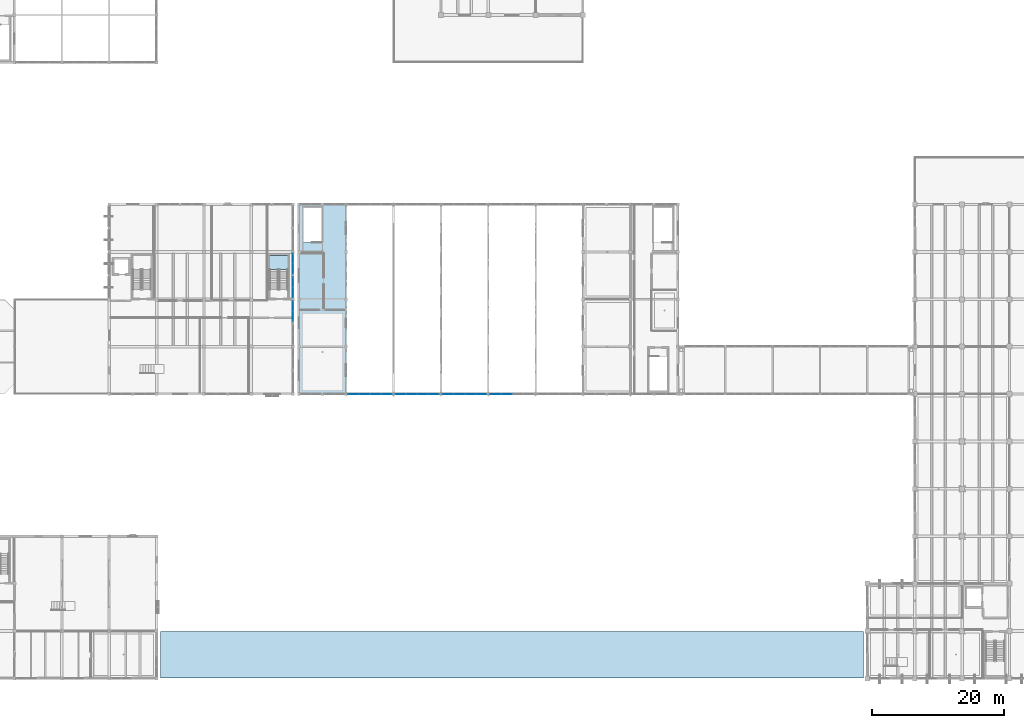
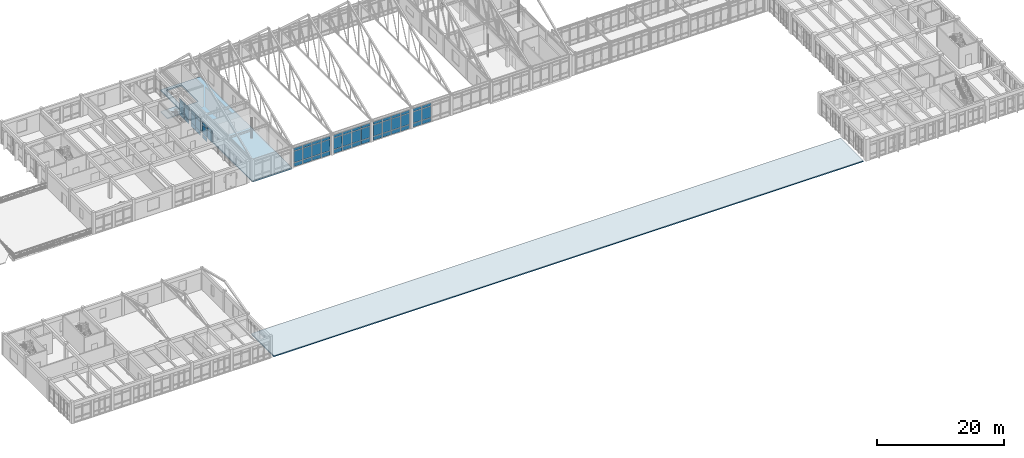
# One storey, part 78 of 136: 59 plates, 3 slabs, 8 elements without a shape of their own.
"""IFC4 building model written with IfcOpenShell, lengths in metres."""

from ifc_helpers import new_model, si_unit, direction, frame, origin, origin_2d, place, context, subcontext, project, spatial, polyline, rectangle, outline, extrude, material, layer, layer_set, type_object, element, aggregate, save


model = new_model("IFC4")

# Units and contexts
model_context = context("Model", 3, precision=1e-05, world=origin(), true_north=direction((0.0, 1.0)))
body_context = subcontext(model_context, "Body", "Model", "MODEL_VIEW")
ifc_project = project(units=[si_unit("LENGTHUNIT", "METRE"), si_unit("AREAUNIT", "SQUARE_METRE"), si_unit("VOLUMEUNIT", "CUBIC_METRE"), si_unit("PLANEANGLEUNIT", "RADIAN"), si_unit("MASSUNIT", "GRAM", prefix="KILO")], contexts=[model_context])

# Site, building, storey
site_placement = place(None, origin())
site = spatial("IfcSite", under=ifc_project, at=site_placement, CompositionType="ELEMENT")
building_placement = place(site_placement, origin())
building = spatial("IfcBuilding", under=site, at=building_placement, Name="Koriwan Promenade Central Fire Station", CompositionType="ELEMENT")
storey_placement = place(building_placement, frame((0.0, 0.0, 5.39990234375)))
storey = spatial("IfcBuildingStorey", under=building, at=storey_placement, Name="L01", CompositionType="ELEMENT", Elevation=5.39990234375)

# Curtain wall, plates
ifc_material_1 = material(Name="Aluminium EN AW-6063-T6 and low-E glazing", Category="aluminium")
ifc_layer_1 = layer(ifc_material_1, 0.159912109375, Name="Aluminium EN AW-6063-T6 and low-E glazing")
ifc_layer_set_1 = layer_set([ifc_layer_1], Name="Aluminium EN AW-6063-T6 and low-E glazing")
curtain_wall_type_1 = type_object("IfcCurtainWallType", Name="CurtainWall_93_675x372", PredefinedType="USERDEFINED", material=ifc_layer_set_1)
curtain_wall_1_placement = place(storey_placement, origin())
curtain_wall_1 = element("IfcCurtainWall", 1, at=curtain_wall_1_placement, inside=storey, type_object=curtain_wall_type_1, Name="V1 L01 unitised curtain wall 289", ObjectType="UNITISED CURTAIN WALL", PredefinedType="USERDEFINED")
ifc_material_2 = material(Name="Low-E laminated double glazing", Category="glass")
ifc_layer_2 = layer(ifc_material_2, 0.028076171875, Name="Low-E laminated double glazing")
ifc_layer_set_2 = layer_set([ifc_layer_2], Name="Low-E laminated double glazing")
plate_type_1 = type_object("IfcPlateType", Name="CWPanel_28", PredefinedType="CURTAIN_PANEL", material=ifc_layer_set_2)
plate_1_placement = place(storey_placement, frame((65.888671875, 43.199951171875, 0.080078125), z_axis=(0.0, 0.0, 1.0), x_axis=(1.0, 0.0, 0.0)))
plate_1 = element("IfcPlate", 2, at=plate_1_placement, type_object=plate_type_1, Name="CW-93 panel 1.1", PredefinedType="CURTAIN_PANEL", context=body_context, shape_type="SweptSolid", body=[
    extrude(rectangle(XDim=1.5673828125, YDim=0.028076171875, at=origin_2d()), origin(), (0.0, 0.0, 1.0), 0.72998046875),
])
plate_2_placement = place(storey_placement, frame((65.888671875, 43.199951171875, 0.89013671875), z_axis=(0.0, 0.0, 1.0), x_axis=(1.0, 0.0, 0.0)))
plate_2 = element("IfcPlate", 3, at=plate_2_placement, type_object=plate_type_1, Name="CW-93 panel 1.2", PredefinedType="CURTAIN_PANEL", context=body_context, shape_type="SweptSolid", body=[
    extrude(rectangle(XDim=1.5673828125, YDim=0.028076171875, at=origin_2d()), origin(), (0.0, 0.0, 1.0), 2.14111328125),
])
plate_3_placement = place(storey_placement, frame((65.888671875, 43.199951171875, 3.11083984375), z_axis=(0.0, 0.0, 1.0), x_axis=(1.0, 0.0, 0.0)))
plate_3 = element("IfcPlate", 4, at=plate_3_placement, type_object=plate_type_1, Name="CW-93 panel 1.3", PredefinedType="CURTAIN_PANEL", context=body_context, shape_type="SweptSolid", body=[
    extrude(rectangle(XDim=1.5673828125, YDim=0.028076171875, at=origin_2d()), origin(), (0.0, 0.0, 1.0), 0.530029296875),
])
plate_4_placement = place(storey_placement, frame((67.55615234375, 43.199951171875, 0.080078125), z_axis=(0.0, 0.0, 1.0), x_axis=(1.0, 0.0, 0.0)))
plate_4 = element("IfcPlate", 5, at=plate_4_placement, type_object=plate_type_1, Name="CW-93 panel 2.1", PredefinedType="CURTAIN_PANEL", context=body_context, shape_type="SweptSolid", body=[
    extrude(rectangle(XDim=1.607421875, YDim=0.028076171875, at=origin_2d()), origin(), (0.0, 0.0, 1.0), 0.72998046875),
])
plate_5_placement = place(storey_placement, frame((67.55615234375, 43.199951171875, 0.89013671875), z_axis=(0.0, 0.0, 1.0), x_axis=(1.0, 0.0, 0.0)))
plate_5 = element("IfcPlate", 6, at=plate_5_placement, type_object=plate_type_1, Name="CW-93 panel 2.2", PredefinedType="CURTAIN_PANEL", context=body_context, shape_type="SweptSolid", body=[
    extrude(rectangle(XDim=1.607421875, YDim=0.028076171875, at=origin_2d()), origin(), (0.0, 0.0, 1.0), 2.14111328125),
])
plate_6_placement = place(storey_placement, frame((67.55615234375, 43.199951171875, 3.11083984375), z_axis=(0.0, 0.0, 1.0), x_axis=(1.0, 0.0, 0.0)))
plate_6 = element("IfcPlate", 7, at=plate_6_placement, type_object=plate_type_1, Name="CW-93 panel 2.3", PredefinedType="CURTAIN_PANEL", context=body_context, shape_type="SweptSolid", body=[
    extrude(rectangle(XDim=1.607421875, YDim=0.028076171875, at=origin_2d()), origin(), (0.0, 0.0, 1.0), 0.530029296875),
])
plate_7_placement = place(storey_placement, frame((69.24365234375, 43.199951171875, 0.080078125), z_axis=(0.0, 0.0, 1.0), x_axis=(1.0, 0.0, 0.0)))
plate_7 = element("IfcPlate", 8, at=plate_7_placement, type_object=plate_type_1, Name="CW-93 panel 3.1", PredefinedType="CURTAIN_PANEL", context=body_context, shape_type="SweptSolid", body=[
    extrude(rectangle(XDim=1.607421875, YDim=0.028076171875, at=origin_2d()), origin(), (0.0, 0.0, 1.0), 0.72998046875),
])
plate_8_placement = place(storey_placement, frame((69.24365234375, 43.199951171875, 0.89013671875), z_axis=(0.0, 0.0, 1.0), x_axis=(1.0, 0.0, 0.0)))
plate_8 = element("IfcPlate", 9, at=plate_8_placement, type_object=plate_type_1, Name="CW-93 panel 3.2", PredefinedType="CURTAIN_PANEL", context=body_context, shape_type="SweptSolid", body=[
    extrude(rectangle(XDim=1.607421875, YDim=0.028076171875, at=origin_2d()), origin(), (0.0, 0.0, 1.0), 2.14111328125),
])
plate_9_placement = place(storey_placement, frame((69.24365234375, 43.199951171875, 3.11083984375), z_axis=(0.0, 0.0, 1.0), x_axis=(1.0, 0.0, 0.0)))
plate_9 = element("IfcPlate", 10, at=plate_9_placement, type_object=plate_type_1, Name="CW-93 panel 3.3", PredefinedType="CURTAIN_PANEL", context=body_context, shape_type="SweptSolid", body=[
    extrude(rectangle(XDim=1.607421875, YDim=0.028076171875, at=origin_2d()), origin(), (0.0, 0.0, 1.0), 0.530029296875),
])
plate_10_placement = place(storey_placement, frame((70.9111328125, 43.199951171875, 0.080078125), z_axis=(0.0, 0.0, 1.0), x_axis=(1.0, 0.0, 0.0)))
plate_10 = element("IfcPlate", 11, at=plate_10_placement, type_object=plate_type_1, Name="CW-93 panel 4.1", PredefinedType="CURTAIN_PANEL", context=body_context, shape_type="SweptSolid", body=[
    extrude(rectangle(XDim=1.5673828125, YDim=0.028076171875, at=origin_2d()), origin(), (0.0, 0.0, 1.0), 0.72998046875),
])
plate_11_placement = place(storey_placement, frame((70.9111328125, 43.199951171875, 0.89013671875), z_axis=(0.0, 0.0, 1.0), x_axis=(1.0, 0.0, 0.0)))
plate_11 = element("IfcPlate", 12, at=plate_11_placement, type_object=plate_type_1, Name="CW-93 panel 4.2", PredefinedType="CURTAIN_PANEL", context=body_context, shape_type="SweptSolid", body=[
    extrude(rectangle(XDim=1.5673828125, YDim=0.028076171875, at=origin_2d()), origin(), (0.0, 0.0, 1.0), 2.14111328125),
])
plate_12_placement = place(storey_placement, frame((70.9111328125, 43.199951171875, 3.11083984375), z_axis=(0.0, 0.0, 1.0), x_axis=(1.0, 0.0, 0.0)))
plate_12 = element("IfcPlate", 13, at=plate_12_placement, type_object=plate_type_1, Name="CW-93 panel 4.3", PredefinedType="CURTAIN_PANEL", context=body_context, shape_type="SweptSolid", body=[
    extrude(rectangle(XDim=1.5673828125, YDim=0.028076171875, at=origin_2d()), origin(), (0.0, 0.0, 1.0), 0.530029296875),
])
aggregate(curtain_wall_1, [plate_1, plate_2, plate_3, plate_4, plate_5, plate_6, plate_7, plate_8, plate_9, plate_10, plate_11, plate_12])

curtain_wall_2_placement = place(storey_placement, origin())
curtain_wall_2 = element("IfcCurtainWall", 14, at=curtain_wall_2_placement, inside=storey, type_object=curtain_wall_type_1, Name="V1 L01 unitised curtain wall 291", ObjectType="UNITISED CURTAIN WALL", PredefinedType="USERDEFINED")
plate_13_placement = place(storey_placement, frame((73.0888671875, 43.199951171875, 0.080078125), z_axis=(0.0, 0.0, 1.0), x_axis=(1.0, 0.0, 0.0)))
plate_13 = element("IfcPlate", 15, at=plate_13_placement, type_object=plate_type_1, Name="CW-93 panel 1.1", PredefinedType="CURTAIN_PANEL", context=body_context, shape_type="SweptSolid", body=[
    extrude(rectangle(XDim=1.5673828125, YDim=0.028076171875, at=origin_2d()), origin(), (0.0, 0.0, 1.0), 0.72998046875),
])
plate_14_placement = place(storey_placement, frame((73.0888671875, 43.199951171875, 0.89013671875), z_axis=(0.0, 0.0, 1.0), x_axis=(1.0, 0.0, 0.0)))
plate_14 = element("IfcPlate", 16, at=plate_14_placement, type_object=plate_type_1, Name="CW-93 panel 1.2", PredefinedType="CURTAIN_PANEL", context=body_context, shape_type="SweptSolid", body=[
    extrude(rectangle(XDim=1.5673828125, YDim=0.028076171875, at=origin_2d()), origin(), (0.0, 0.0, 1.0), 2.14111328125),
])
plate_15_placement = place(storey_placement, frame((73.0888671875, 43.199951171875, 3.11083984375), z_axis=(0.0, 0.0, 1.0), x_axis=(1.0, 0.0, 0.0)))
plate_15 = element("IfcPlate", 17, at=plate_15_placement, type_object=plate_type_1, Name="CW-93 panel 1.3", PredefinedType="CURTAIN_PANEL", context=body_context, shape_type="SweptSolid", body=[
    extrude(rectangle(XDim=1.5673828125, YDim=0.028076171875, at=origin_2d()), origin(), (0.0, 0.0, 1.0), 0.530029296875),
])
plate_16_placement = place(storey_placement, frame((74.75634765625, 43.199951171875, 0.080078125), z_axis=(0.0, 0.0, 1.0), x_axis=(1.0, 0.0, 0.0)))
plate_16 = element("IfcPlate", 18, at=plate_16_placement, type_object=plate_type_1, Name="CW-93 panel 2.1", PredefinedType="CURTAIN_PANEL", context=body_context, shape_type="SweptSolid", body=[
    extrude(rectangle(XDim=1.607421875, YDim=0.028076171875, at=origin_2d()), origin(), (0.0, 0.0, 1.0), 0.72998046875),
])
plate_17_placement = place(storey_placement, frame((74.75634765625, 43.199951171875, 0.89013671875), z_axis=(0.0, 0.0, 1.0), x_axis=(1.0, 0.0, 0.0)))
plate_17 = element("IfcPlate", 19, at=plate_17_placement, type_object=plate_type_1, Name="CW-93 panel 2.2", PredefinedType="CURTAIN_PANEL", context=body_context, shape_type="SweptSolid", body=[
    extrude(rectangle(XDim=1.607421875, YDim=0.028076171875, at=origin_2d()), origin(), (0.0, 0.0, 1.0), 2.14111328125),
])
plate_18_placement = place(storey_placement, frame((74.75634765625, 43.199951171875, 3.11083984375), z_axis=(0.0, 0.0, 1.0), x_axis=(1.0, 0.0, 0.0)))
plate_18 = element("IfcPlate", 20, at=plate_18_placement, type_object=plate_type_1, Name="CW-93 panel 2.3", PredefinedType="CURTAIN_PANEL", context=body_context, shape_type="SweptSolid", body=[
    extrude(rectangle(XDim=1.607421875, YDim=0.028076171875, at=origin_2d()), origin(), (0.0, 0.0, 1.0), 0.530029296875),
])
plate_19_placement = place(storey_placement, frame((76.44384765625, 43.199951171875, 0.080078125), z_axis=(0.0, 0.0, 1.0), x_axis=(1.0, 0.0, 0.0)))
plate_19 = element("IfcPlate", 21, at=plate_19_placement, type_object=plate_type_1, Name="CW-93 panel 3.1", PredefinedType="CURTAIN_PANEL", context=body_context, shape_type="SweptSolid", body=[
    extrude(rectangle(XDim=1.607421875, YDim=0.028076171875, at=origin_2d()), origin(), (0.0, 0.0, 1.0), 0.72998046875),
])
plate_20_placement = place(storey_placement, frame((76.44384765625, 43.199951171875, 0.89013671875), z_axis=(0.0, 0.0, 1.0), x_axis=(1.0, 0.0, 0.0)))
plate_20 = element("IfcPlate", 22, at=plate_20_placement, type_object=plate_type_1, Name="CW-93 panel 3.2", PredefinedType="CURTAIN_PANEL", context=body_context, shape_type="SweptSolid", body=[
    extrude(rectangle(XDim=1.607421875, YDim=0.028076171875, at=origin_2d()), origin(), (0.0, 0.0, 1.0), 2.14111328125),
])
plate_21_placement = place(storey_placement, frame((76.44384765625, 43.199951171875, 3.11083984375), z_axis=(0.0, 0.0, 1.0), x_axis=(1.0, 0.0, 0.0)))
plate_21 = element("IfcPlate", 23, at=plate_21_placement, type_object=plate_type_1, Name="CW-93 panel 3.3", PredefinedType="CURTAIN_PANEL", context=body_context, shape_type="SweptSolid", body=[
    extrude(rectangle(XDim=1.607421875, YDim=0.028076171875, at=origin_2d()), origin(), (0.0, 0.0, 1.0), 0.530029296875),
])
plate_22_placement = place(storey_placement, frame((78.111328125, 43.199951171875, 0.080078125), z_axis=(0.0, 0.0, 1.0), x_axis=(1.0, 0.0, 0.0)))
plate_22 = element("IfcPlate", 24, at=plate_22_placement, type_object=plate_type_1, Name="CW-93 panel 4.1", PredefinedType="CURTAIN_PANEL", context=body_context, shape_type="SweptSolid", body=[
    extrude(rectangle(XDim=1.5673828125, YDim=0.028076171875, at=origin_2d()), origin(), (0.0, 0.0, 1.0), 0.72998046875),
])
plate_23_placement = place(storey_placement, frame((78.111328125, 43.199951171875, 0.89013671875), z_axis=(0.0, 0.0, 1.0), x_axis=(1.0, 0.0, 0.0)))
plate_23 = element("IfcPlate", 25, at=plate_23_placement, type_object=plate_type_1, Name="CW-93 panel 4.2", PredefinedType="CURTAIN_PANEL", context=body_context, shape_type="SweptSolid", body=[
    extrude(rectangle(XDim=1.5673828125, YDim=0.028076171875, at=origin_2d()), origin(), (0.0, 0.0, 1.0), 2.14111328125),
])
plate_24_placement = place(storey_placement, frame((78.111328125, 43.199951171875, 3.11083984375), z_axis=(0.0, 0.0, 1.0), x_axis=(1.0, 0.0, 0.0)))
plate_24 = element("IfcPlate", 26, at=plate_24_placement, type_object=plate_type_1, Name="CW-93 panel 4.3", PredefinedType="CURTAIN_PANEL", context=body_context, shape_type="SweptSolid", body=[
    extrude(rectangle(XDim=1.5673828125, YDim=0.028076171875, at=origin_2d()), origin(), (0.0, 0.0, 1.0), 0.530029296875),
])
aggregate(curtain_wall_2, [plate_13, plate_14, plate_15, plate_16, plate_17, plate_18, plate_19, plate_20, plate_21, plate_22, plate_23, plate_24])

curtain_wall_3_placement = place(storey_placement, origin())
curtain_wall_3 = element("IfcCurtainWall", 27, at=curtain_wall_3_placement, inside=storey, type_object=curtain_wall_type_1, Name="V1 L01 unitised curtain wall 293", ObjectType="UNITISED CURTAIN WALL", PredefinedType="USERDEFINED")
plate_25_placement = place(storey_placement, frame((80.288818359375, 43.199951171875, 0.080078125), z_axis=(0.0, 0.0, 1.0), x_axis=(1.0, 0.0, 0.0)))
plate_25 = element("IfcPlate", 28, at=plate_25_placement, type_object=plate_type_1, Name="CW-93 panel 1.1", PredefinedType="CURTAIN_PANEL", context=body_context, shape_type="SweptSolid", body=[
    extrude(rectangle(XDim=1.5673828125, YDim=0.028076171875, at=origin_2d()), origin(), (0.0, 0.0, 1.0), 0.72998046875),
])
plate_26_placement = place(storey_placement, frame((80.288818359375, 43.199951171875, 0.89013671875), z_axis=(0.0, 0.0, 1.0), x_axis=(1.0, 0.0, 0.0)))
plate_26 = element("IfcPlate", 29, at=plate_26_placement, type_object=plate_type_1, Name="CW-93 panel 1.2", PredefinedType="CURTAIN_PANEL", context=body_context, shape_type="SweptSolid", body=[
    extrude(rectangle(XDim=1.5673828125, YDim=0.028076171875, at=origin_2d()), origin(), (0.0, 0.0, 1.0), 2.14111328125),
])
plate_27_placement = place(storey_placement, frame((80.288818359375, 43.199951171875, 3.11083984375), z_axis=(0.0, 0.0, 1.0), x_axis=(1.0, 0.0, 0.0)))
plate_27 = element("IfcPlate", 30, at=plate_27_placement, type_object=plate_type_1, Name="CW-93 panel 1.3", PredefinedType="CURTAIN_PANEL", context=body_context, shape_type="SweptSolid", body=[
    extrude(rectangle(XDim=1.5673828125, YDim=0.028076171875, at=origin_2d()), origin(), (0.0, 0.0, 1.0), 0.530029296875),
])
plate_28_placement = place(storey_placement, frame((81.956298828125, 43.199951171875, 0.080078125), z_axis=(0.0, 0.0, 1.0), x_axis=(1.0, 0.0, 0.0)))
plate_28 = element("IfcPlate", 31, at=plate_28_placement, type_object=plate_type_1, Name="CW-93 panel 2.1", PredefinedType="CURTAIN_PANEL", context=body_context, shape_type="SweptSolid", body=[
    extrude(rectangle(XDim=1.607421875, YDim=0.028076171875, at=origin_2d()), origin(), (0.0, 0.0, 1.0), 0.72998046875),
])
plate_29_placement = place(storey_placement, frame((81.956298828125, 43.199951171875, 0.89013671875), z_axis=(0.0, 0.0, 1.0), x_axis=(1.0, 0.0, 0.0)))
plate_29 = element("IfcPlate", 32, at=plate_29_placement, type_object=plate_type_1, Name="CW-93 panel 2.2", PredefinedType="CURTAIN_PANEL", context=body_context, shape_type="SweptSolid", body=[
    extrude(rectangle(XDim=1.607421875, YDim=0.028076171875, at=origin_2d()), origin(), (0.0, 0.0, 1.0), 2.14111328125),
])
plate_30_placement = place(storey_placement, frame((81.956298828125, 43.199951171875, 3.11083984375), z_axis=(0.0, 0.0, 1.0), x_axis=(1.0, 0.0, 0.0)))
plate_30 = element("IfcPlate", 33, at=plate_30_placement, type_object=plate_type_1, Name="CW-93 panel 2.3", PredefinedType="CURTAIN_PANEL", context=body_context, shape_type="SweptSolid", body=[
    extrude(rectangle(XDim=1.607421875, YDim=0.028076171875, at=origin_2d()), origin(), (0.0, 0.0, 1.0), 0.530029296875),
])
plate_31_placement = place(storey_placement, frame((83.643798828125, 43.199951171875, 0.080078125), z_axis=(0.0, 0.0, 1.0), x_axis=(1.0, 0.0, 0.0)))
plate_31 = element("IfcPlate", 34, at=plate_31_placement, type_object=plate_type_1, Name="CW-93 panel 3.1", PredefinedType="CURTAIN_PANEL", context=body_context, shape_type="SweptSolid", body=[
    extrude(rectangle(XDim=1.607421875, YDim=0.028076171875, at=origin_2d()), origin(), (0.0, 0.0, 1.0), 0.72998046875),
])
plate_32_placement = place(storey_placement, frame((83.643798828125, 43.199951171875, 0.89013671875), z_axis=(0.0, 0.0, 1.0), x_axis=(1.0, 0.0, 0.0)))
plate_32 = element("IfcPlate", 35, at=plate_32_placement, type_object=plate_type_1, Name="CW-93 panel 3.2", PredefinedType="CURTAIN_PANEL", context=body_context, shape_type="SweptSolid", body=[
    extrude(rectangle(XDim=1.607421875, YDim=0.028076171875, at=origin_2d()), origin(), (0.0, 0.0, 1.0), 2.14111328125),
])
plate_33_placement = place(storey_placement, frame((83.643798828125, 43.199951171875, 3.11083984375), z_axis=(0.0, 0.0, 1.0), x_axis=(1.0, 0.0, 0.0)))
plate_33 = element("IfcPlate", 36, at=plate_33_placement, type_object=plate_type_1, Name="CW-93 panel 3.3", PredefinedType="CURTAIN_PANEL", context=body_context, shape_type="SweptSolid", body=[
    extrude(rectangle(XDim=1.607421875, YDim=0.028076171875, at=origin_2d()), origin(), (0.0, 0.0, 1.0), 0.530029296875),
])
plate_34_placement = place(storey_placement, frame((85.311279296875, 43.199951171875, 0.080078125), z_axis=(0.0, 0.0, 1.0), x_axis=(1.0, 0.0, 0.0)))
plate_34 = element("IfcPlate", 37, at=plate_34_placement, type_object=plate_type_1, Name="CW-93 panel 4.1", PredefinedType="CURTAIN_PANEL", context=body_context, shape_type="SweptSolid", body=[
    extrude(rectangle(XDim=1.5673828125, YDim=0.028076171875, at=origin_2d()), origin(), (0.0, 0.0, 1.0), 0.72998046875),
])
plate_35_placement = place(storey_placement, frame((85.311279296875, 43.199951171875, 0.89013671875), z_axis=(0.0, 0.0, 1.0), x_axis=(1.0, 0.0, 0.0)))
plate_35 = element("IfcPlate", 38, at=plate_35_placement, type_object=plate_type_1, Name="CW-93 panel 4.2", PredefinedType="CURTAIN_PANEL", context=body_context, shape_type="SweptSolid", body=[
    extrude(rectangle(XDim=1.5673828125, YDim=0.028076171875, at=origin_2d()), origin(), (0.0, 0.0, 1.0), 2.14111328125),
])
plate_36_placement = place(storey_placement, frame((85.311279296875, 43.199951171875, 3.11083984375), z_axis=(0.0, 0.0, 1.0), x_axis=(1.0, 0.0, 0.0)))
plate_36 = element("IfcPlate", 39, at=plate_36_placement, type_object=plate_type_1, Name="CW-93 panel 4.3", PredefinedType="CURTAIN_PANEL", context=body_context, shape_type="SweptSolid", body=[
    extrude(rectangle(XDim=1.5673828125, YDim=0.028076171875, at=origin_2d()), origin(), (0.0, 0.0, 1.0), 0.530029296875),
])
aggregate(curtain_wall_3, [plate_25, plate_26, plate_27, plate_28, plate_29, plate_30, plate_31, plate_32, plate_33, plate_34, plate_35, plate_36])

curtain_wall_4_placement = place(storey_placement, origin())
curtain_wall_4 = element("IfcCurtainWall", 40, at=curtain_wall_4_placement, inside=storey, type_object=curtain_wall_type_1, Name="V1 L01 unitised curtain wall 295", ObjectType="UNITISED CURTAIN WALL", PredefinedType="USERDEFINED")
plate_37_placement = place(storey_placement, frame((87.48876953125, 43.199951171875, 0.080078125), z_axis=(0.0, 0.0, 1.0), x_axis=(1.0, 0.0, 0.0)))
plate_37 = element("IfcPlate", 41, at=plate_37_placement, type_object=plate_type_1, Name="CW-93 panel 1.1", PredefinedType="CURTAIN_PANEL", context=body_context, shape_type="SweptSolid", body=[
    extrude(rectangle(XDim=1.5673828125, YDim=0.028076171875, at=origin_2d()), origin(), (0.0, 0.0, 1.0), 0.72998046875),
])
plate_38_placement = place(storey_placement, frame((87.48876953125, 43.199951171875, 0.89013671875), z_axis=(0.0, 0.0, 1.0), x_axis=(1.0, 0.0, 0.0)))
plate_38 = element("IfcPlate", 42, at=plate_38_placement, type_object=plate_type_1, Name="CW-93 panel 1.2", PredefinedType="CURTAIN_PANEL", context=body_context, shape_type="SweptSolid", body=[
    extrude(rectangle(XDim=1.5673828125, YDim=0.028076171875, at=origin_2d()), origin(), (0.0, 0.0, 1.0), 2.14111328125),
])
plate_39_placement = place(storey_placement, frame((87.48876953125, 43.199951171875, 3.11083984375), z_axis=(0.0, 0.0, 1.0), x_axis=(1.0, 0.0, 0.0)))
plate_39 = element("IfcPlate", 43, at=plate_39_placement, type_object=plate_type_1, Name="CW-93 panel 1.3", PredefinedType="CURTAIN_PANEL", context=body_context, shape_type="SweptSolid", body=[
    extrude(rectangle(XDim=1.5673828125, YDim=0.028076171875, at=origin_2d()), origin(), (0.0, 0.0, 1.0), 0.530029296875),
])
plate_40_placement = place(storey_placement, frame((89.15625, 43.199951171875, 0.080078125), z_axis=(0.0, 0.0, 1.0), x_axis=(1.0, 0.0, 0.0)))
plate_40 = element("IfcPlate", 44, at=plate_40_placement, type_object=plate_type_1, Name="CW-93 panel 2.1", PredefinedType="CURTAIN_PANEL", context=body_context, shape_type="SweptSolid", body=[
    extrude(rectangle(XDim=1.607421875, YDim=0.028076171875, at=origin_2d()), origin(), (0.0, 0.0, 1.0), 0.72998046875),
])
plate_41_placement = place(storey_placement, frame((89.15625, 43.199951171875, 0.89013671875), z_axis=(0.0, 0.0, 1.0), x_axis=(1.0, 0.0, 0.0)))
plate_41 = element("IfcPlate", 45, at=plate_41_placement, type_object=plate_type_1, Name="CW-93 panel 2.2", PredefinedType="CURTAIN_PANEL", context=body_context, shape_type="SweptSolid", body=[
    extrude(rectangle(XDim=1.607421875, YDim=0.028076171875, at=origin_2d()), origin(), (0.0, 0.0, 1.0), 2.14111328125),
])
plate_42_placement = place(storey_placement, frame((89.15625, 43.199951171875, 3.11083984375), z_axis=(0.0, 0.0, 1.0), x_axis=(1.0, 0.0, 0.0)))
plate_42 = element("IfcPlate", 46, at=plate_42_placement, type_object=plate_type_1, Name="CW-93 panel 2.3", PredefinedType="CURTAIN_PANEL", context=body_context, shape_type="SweptSolid", body=[
    extrude(rectangle(XDim=1.607421875, YDim=0.028076171875, at=origin_2d()), origin(), (0.0, 0.0, 1.0), 0.530029296875),
])
aggregate(curtain_wall_4, [plate_37, plate_38, plate_39, plate_40, plate_41, plate_42])

ifc_layer_3 = layer(ifc_material_1, 0.159912109375, Name="Aluminium EN AW-6063-T6 and low-E glazing")
ifc_layer_set_3 = layer_set([ifc_layer_3], Name="Aluminium EN AW-6063-T6 and low-E glazing")
curtain_wall_type_2 = type_object("IfcCurtainWallType", Name="CurtainWall_46_317x329", PredefinedType="USERDEFINED", material=ifc_layer_set_3)
curtain_wall_5_placement = place(storey_placement, origin())
curtain_wall_5 = element("IfcCurtainWall", 47, at=curtain_wall_5_placement, inside=storey, type_object=curtain_wall_type_2, Name="V4 L01 unitised curtain wall 112", ObjectType="UNITISED CURTAIN WALL", PredefinedType="USERDEFINED")
ifc_material_3 = material(Name="Solar-control low-E acoustic glazing", Category="glass")
ifc_layer_4 = layer(ifc_material_3, 0.031982421875, Name="Solar-control low-E acoustic glazing")
ifc_layer_set_4 = layer_set([ifc_layer_4], Name="Solar-control low-E acoustic glazing")
plate_type_2 = type_object("IfcPlateType", Name="CWPanel_32", PredefinedType="CURTAIN_PANEL", material=ifc_layer_set_4)
plate_43_placement = place(storey_placement, frame((56.699951171875, 55.012451171875, 0.8876953125), z_axis=(0.0, 0.0, 1.0), x_axis=(0.0, 1.0, 0.0)))
plate_43 = element("IfcPlate", 48, at=plate_43_placement, type_object=plate_type_2, Name="CW-46 panel 1.2", PredefinedType="CURTAIN_PANEL", context=body_context, shape_type="SweptSolid", body=[
    extrude(rectangle(XDim=1.47509765625, YDim=0.031982421875, at=origin_2d()), origin(), (0.0, 0.0, 1.0), 1.715087890625),
])
plate_44_placement = place(storey_placement, frame((56.699951171875, 55.012451171875, 2.677490234375), z_axis=(0.0, 0.0, 1.0), x_axis=(0.0, 1.0, 0.0)))
plate_44 = element("IfcPlate", 49, at=plate_44_placement, type_object=plate_type_2, Name="CW-46 panel 1.3", PredefinedType="CURTAIN_PANEL", context=body_context, shape_type="SweptSolid", body=[
    extrude(rectangle(XDim=1.47509765625, YDim=0.031982421875, at=origin_2d()), origin(), (0.0, 0.0, 1.0), 0.53759765625),
])
plate_45_placement = place(storey_placement, frame((56.699951171875, 56.5625, 0.0751953125), z_axis=(0.0, 0.0, 1.0), x_axis=(0.0, 1.0, 0.0)))
plate_45 = element("IfcPlate", 50, at=plate_45_placement, type_object=plate_type_2, Name="CW-46 panel 2.1", PredefinedType="CURTAIN_PANEL", context=body_context, shape_type="SweptSolid", body=[
    extrude(rectangle(XDim=1.47509765625, YDim=0.031982421875, at=origin_2d()), origin(), (0.0, 0.0, 1.0), 0.737548828125),
])
plate_46_placement = place(storey_placement, frame((56.699951171875, 56.5625, 0.8876953125), z_axis=(0.0, 0.0, 1.0), x_axis=(0.0, 1.0, 0.0)))
plate_46 = element("IfcPlate", 51, at=plate_46_placement, type_object=plate_type_2, Name="CW-46 panel 2.2", PredefinedType="CURTAIN_PANEL", context=body_context, shape_type="SweptSolid", body=[
    extrude(rectangle(XDim=1.47509765625, YDim=0.031982421875, at=origin_2d()), origin(), (0.0, 0.0, 1.0), 1.715087890625),
])
plate_47_placement = place(storey_placement, frame((56.699951171875, 56.5625, 2.677490234375), z_axis=(0.0, 0.0, 1.0), x_axis=(0.0, 1.0, 0.0)))
plate_47 = element("IfcPlate", 52, at=plate_47_placement, type_object=plate_type_2, Name="CW-46 panel 2.3", PredefinedType="CURTAIN_PANEL", context=body_context, shape_type="SweptSolid", body=[
    extrude(rectangle(XDim=1.47509765625, YDim=0.031982421875, at=origin_2d()), origin(), (0.0, 0.0, 1.0), 0.53759765625),
])
aggregate(curtain_wall_5, [plate_43, plate_44, plate_45, plate_46, plate_47])

ifc_layer_5 = layer(ifc_material_1, 0.159912109375, Name="Aluminium EN AW-6063-T6 and low-E glazing")
ifc_layer_set_5 = layer_set([ifc_layer_5], Name="Aluminium EN AW-6063-T6 and low-E glazing")
curtain_wall_type_3 = type_object("IfcCurtainWallType", Name="CurtainWall_45_317x334", PredefinedType="USERDEFINED", material=ifc_layer_set_5)
curtain_wall_6_placement = place(storey_placement, origin())
curtain_wall_6 = element("IfcCurtainWall", 53, at=curtain_wall_6_placement, inside=storey, type_object=curtain_wall_type_3, Name="V4 L01 unitised curtain wall 113", ObjectType="UNITISED CURTAIN WALL", PredefinedType="USERDEFINED")
plate_48_placement = place(storey_placement, frame((56.699951171875, 58.637451171875, 0.0751953125), z_axis=(0.0, 0.0, 1.0), x_axis=(0.0, 1.0, 0.0)))
plate_48 = element("IfcPlate", 54, at=plate_48_placement, type_object=plate_type_2, Name="CW-45 panel 1.1", PredefinedType="CURTAIN_PANEL", context=body_context, shape_type="SweptSolid", body=[
    extrude(rectangle(XDim=1.47509765625, YDim=0.031982421875, at=origin_2d()), origin(), (0.0, 0.0, 1.0), 0.737548828125),
])
plate_49_placement = place(storey_placement, frame((56.699951171875, 58.637451171875, 0.8876953125), z_axis=(0.0, 0.0, 1.0), x_axis=(0.0, 1.0, 0.0)))
plate_49 = element("IfcPlate", 55, at=plate_49_placement, type_object=plate_type_2, Name="CW-45 panel 1.2", PredefinedType="CURTAIN_PANEL", context=body_context, shape_type="SweptSolid", body=[
    extrude(rectangle(XDim=1.47509765625, YDim=0.031982421875, at=origin_2d()), origin(), (0.0, 0.0, 1.0), 1.764892578125),
])
plate_50_placement = place(storey_placement, frame((56.699951171875, 58.637451171875, 2.7275390625), z_axis=(0.0, 0.0, 1.0), x_axis=(0.0, 1.0, 0.0)))
plate_50 = element("IfcPlate", 56, at=plate_50_placement, type_object=plate_type_2, Name="CW-45 panel 1.3", PredefinedType="CURTAIN_PANEL", context=body_context, shape_type="SweptSolid", body=[
    extrude(rectangle(XDim=1.47509765625, YDim=0.031982421875, at=origin_2d()), origin(), (0.0, 0.0, 1.0), 0.53759765625),
])
plate_51_placement = place(storey_placement, frame((56.699951171875, 60.1875, 0.0751953125), z_axis=(0.0, 0.0, 1.0), x_axis=(0.0, 1.0, 0.0)))
plate_51 = element("IfcPlate", 57, at=plate_51_placement, type_object=plate_type_2, Name="CW-45 panel 2.1", PredefinedType="CURTAIN_PANEL", context=body_context, shape_type="SweptSolid", body=[
    extrude(rectangle(XDim=1.47509765625, YDim=0.031982421875, at=origin_2d()), origin(), (0.0, 0.0, 1.0), 0.737548828125),
])
plate_52_placement = place(storey_placement, frame((56.699951171875, 60.1875, 0.8876953125), z_axis=(0.0, 0.0, 1.0), x_axis=(0.0, 1.0, 0.0)))
plate_52 = element("IfcPlate", 58, at=plate_52_placement, type_object=plate_type_2, Name="CW-45 panel 2.2", PredefinedType="CURTAIN_PANEL", context=body_context, shape_type="SweptSolid", body=[
    extrude(rectangle(XDim=1.47509765625, YDim=0.031982421875, at=origin_2d()), origin(), (0.0, 0.0, 1.0), 1.764892578125),
])
plate_53_placement = place(storey_placement, frame((56.699951171875, 60.1875, 2.7275390625), z_axis=(0.0, 0.0, 1.0), x_axis=(0.0, 1.0, 0.0)))
plate_53 = element("IfcPlate", 59, at=plate_53_placement, type_object=plate_type_2, Name="CW-45 panel 2.3", PredefinedType="CURTAIN_PANEL", context=body_context, shape_type="SweptSolid", body=[
    extrude(rectangle(XDim=1.47509765625, YDim=0.031982421875, at=origin_2d()), origin(), (0.0, 0.0, 1.0), 0.53759765625),
])
aggregate(curtain_wall_6, [plate_48, plate_49, plate_50, plate_51, plate_52, plate_53])

ifc_layer_6 = layer(ifc_material_1, 0.159912109375, Name="Aluminium EN AW-6063-T6 and low-E glazing")
ifc_layer_set_6 = layer_set([ifc_layer_6], Name="Aluminium EN AW-6063-T6 and low-E glazing")
curtain_wall_type_4 = type_object("IfcCurtainWallType", Name="CurtainWall_44_318x334", PredefinedType="USERDEFINED", material=ifc_layer_set_6)
curtain_wall_7_placement = place(storey_placement, origin())
curtain_wall_7 = element("IfcCurtainWall", 60, at=curtain_wall_7_placement, inside=storey, type_object=curtain_wall_type_4, Name="V4 L01 unitised curtain wall 114", ObjectType="UNITISED CURTAIN WALL", PredefinedType="USERDEFINED")
plate_54_placement = place(storey_placement, frame((56.699951171875, 62.21240234375, 0.0751953125), z_axis=(0.0, 0.0, 1.0), x_axis=(0.0, 1.0, 0.0)))
plate_54 = element("IfcPlate", 61, at=plate_54_placement, type_object=plate_type_2, Name="CW-44 panel 1.1", PredefinedType="CURTAIN_PANEL", context=body_context, shape_type="SweptSolid", body=[
    extrude(rectangle(XDim=1.47509765625, YDim=0.031982421875, at=origin_2d()), origin(), (0.0, 0.0, 1.0), 0.737548828125),
])
plate_55_placement = place(storey_placement, frame((56.699951171875, 62.21240234375, 0.8876953125), z_axis=(0.0, 0.0, 1.0), x_axis=(0.0, 1.0, 0.0)))
plate_55 = element("IfcPlate", 62, at=plate_55_placement, type_object=plate_type_2, Name="CW-44 panel 1.2", PredefinedType="CURTAIN_PANEL", context=body_context, shape_type="SweptSolid", body=[
    extrude(rectangle(XDim=1.47509765625, YDim=0.031982421875, at=origin_2d()), origin(), (0.0, 0.0, 1.0), 1.764892578125),
])
plate_56_placement = place(storey_placement, frame((56.699951171875, 62.21240234375, 2.7275390625), z_axis=(0.0, 0.0, 1.0), x_axis=(0.0, 1.0, 0.0)))
plate_56 = element("IfcPlate", 63, at=plate_56_placement, type_object=plate_type_2, Name="CW-44 panel 1.3", PredefinedType="CURTAIN_PANEL", context=body_context, shape_type="SweptSolid", body=[
    extrude(rectangle(XDim=1.47509765625, YDim=0.031982421875, at=origin_2d()), origin(), (0.0, 0.0, 1.0), 0.53759765625),
])
plate_57_placement = place(storey_placement, frame((56.699951171875, 63.762451171875, 0.0751953125), z_axis=(0.0, 0.0, 1.0), x_axis=(0.0, 1.0, 0.0)))
plate_57 = element("IfcPlate", 64, at=plate_57_placement, type_object=plate_type_2, Name="CW-44 panel 2.1", PredefinedType="CURTAIN_PANEL", context=body_context, shape_type="SweptSolid", body=[
    extrude(rectangle(XDim=1.47509765625, YDim=0.031982421875, at=origin_2d()), origin(), (0.0, 0.0, 1.0), 0.737548828125),
])
plate_58_placement = place(storey_placement, frame((56.699951171875, 63.762451171875, 0.8876953125), z_axis=(0.0, 0.0, 1.0), x_axis=(0.0, 1.0, 0.0)))
plate_58 = element("IfcPlate", 65, at=plate_58_placement, type_object=plate_type_2, Name="CW-44 panel 2.2", PredefinedType="CURTAIN_PANEL", context=body_context, shape_type="SweptSolid", body=[
    extrude(rectangle(XDim=1.47509765625, YDim=0.031982421875, at=origin_2d()), origin(), (0.0, 0.0, 1.0), 1.764892578125),
])
plate_59_placement = place(storey_placement, frame((56.699951171875, 63.762451171875, 2.7275390625), z_axis=(0.0, 0.0, 1.0), x_axis=(0.0, 1.0, 0.0)))
plate_59 = element("IfcPlate", 66, at=plate_59_placement, type_object=plate_type_2, Name="CW-44 panel 2.3", PredefinedType="CURTAIN_PANEL", context=body_context, shape_type="SweptSolid", body=[
    extrude(rectangle(XDim=1.47509765625, YDim=0.031982421875, at=origin_2d()), origin(), (0.0, 0.0, 1.0), 0.53759765625),
])
aggregate(curtain_wall_7, [plate_54, plate_55, plate_56, plate_57, plate_58, plate_59])

# Slabs
ifc_material_4 = material(Name="Concrete C35/45", Category="concrete")
ifc_layer_7 = layer(ifc_material_4, 0.25, Name="Concrete C35/45")
ifc_layer_set_7 = layer_set([ifc_layer_7], Name="Concrete C35/45")
slab_type_1 = type_object("IfcSlabType", Name="FloorSlab_250", PredefinedType="FLOOR", material=ifc_layer_set_7)
slab_1_placement = place(storey_placement, frame((0.0, 0.0, -0.25)))
element("IfcSlab", 67, at=slab_1_placement, inside=storey, type_object=slab_type_1, Name="V1 L01 structural slab 1", PredefinedType="FLOOR", context=body_context, shape_type="SweptSolid", body=[
    extrude(outline(polyline([(64.800048828125, 43.199951171875), (57.60009765625, 43.199951171875), (57.60009765625, 72.0), (64.800048828125, 72.0), (64.800048828125, 43.199951171875)]), holes=[polyline([(58.31005859375, 66.27197265625), (61.10009765625, 66.27197265625), (61.10009765625, 71.510009765625), (58.31005859375, 71.510009765625), (58.31005859375, 66.27197265625)])]), origin(), (0.0, 0.0, 1.0), 0.25),
])
ifc_layer_8 = layer(ifc_material_4, 0.199951171875, Name="Concrete C35/45")
ifc_layer_set_8 = layer_set([ifc_layer_8], Name="Concrete C35/45")
slab_type_2 = type_object("IfcSlabType", Name="RoofSlab_200", PredefinedType="ROOF", material=ifc_layer_set_8)
slab_2_placement = place(storey_placement, frame((0.0, 0.0, -0.199951171875)))
element("IfcSlab", 68, at=slab_2_placement, inside=storey, type_object=slab_type_2, Name="South Promenade Riwaq Colonnade canopy roof slab", PredefinedType="ROOF", context=body_context, shape_type="SweptSolid", body=[
    extrude(outline(polyline([(36.60009765625, 0.0400390625), (143.39990234375, 0.0400390625), (143.39990234375, 7.159912109375), (36.60009765625, 7.159912109375), (36.60009765625, 0.0400390625)])), origin(), (0.0, 0.0, 1.0), 0.199951171875),
])

# Stair, slab
stair_type = type_object("IfcStairType", Name="Stair_HALF_24R_1310", PredefinedType="HALF_TURN_STAIR", material=ifc_material_4)
stair_placement = place(storey_placement, origin())
stair = element("IfcStair", 69, at=stair_placement, inside=storey, type_object=stair_type, Name="L01 Protected Stair ST20", PredefinedType="HALF_TURN_STAIR")
ifc_layer_9 = layer(ifc_material_4, 0.199951171875, Name="Concrete C35/45")
ifc_layer_set_9 = layer_set([ifc_layer_9], Name="Concrete C35/45")
slab_type_3 = type_object("IfcSlabType", Name="StairLanding_200", PredefinedType="LANDING", material=ifc_layer_set_9)
slab_3_placement = place(storey_placement, frame((0.0, 0.0, 1.900146484375)))
slab_3 = element("IfcSlab", 70, at=slab_3_placement, type_object=slab_type_3, Name="ST20 landing 1", PredefinedType="LANDING", context=body_context, shape_type="SweptSolid", body=[
    extrude(outline(polyline([(55.949951171875, 62.139892578125), (55.949951171875, 64.2900390625), (53.179931640625, 64.2900390625), (53.179931640625, 62.139892578125), (55.949951171875, 62.139892578125)])), origin(), (0.0, 0.0, 1.0), 0.199951171875),
])
aggregate(stair, [slab_3])

save(model, "model.ifc")
